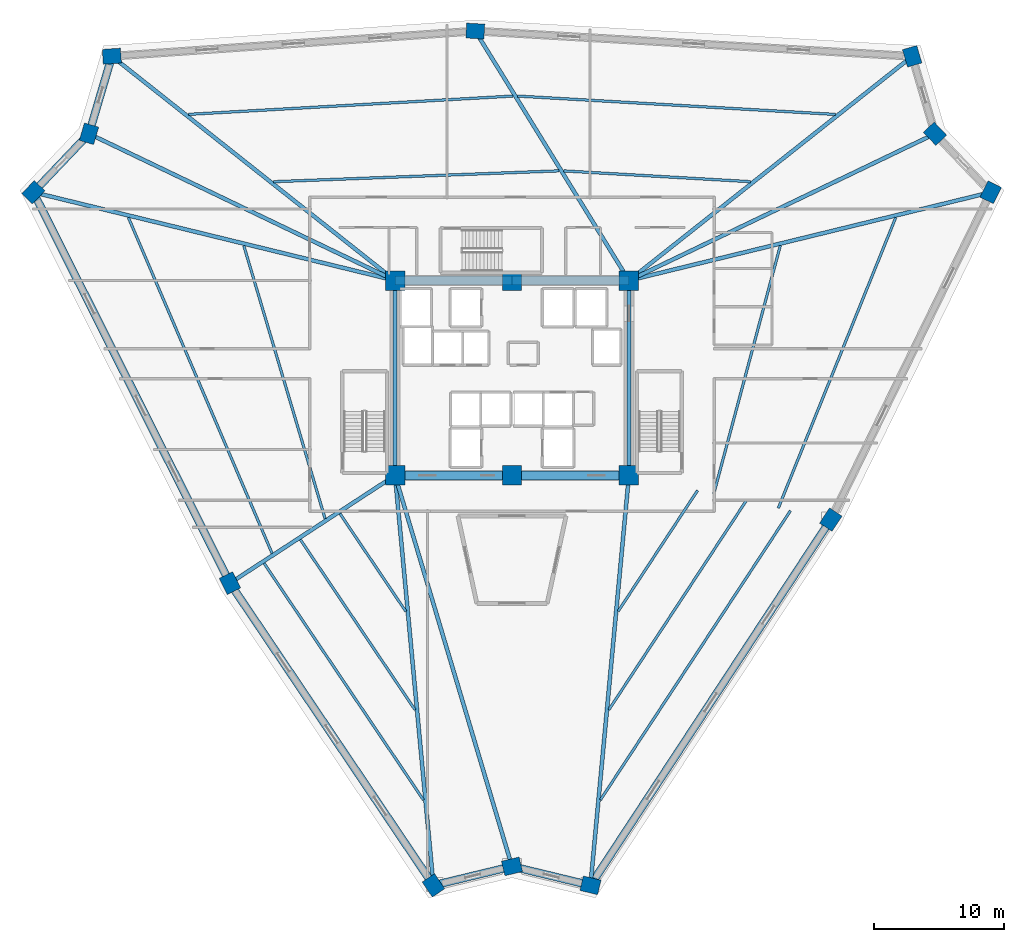
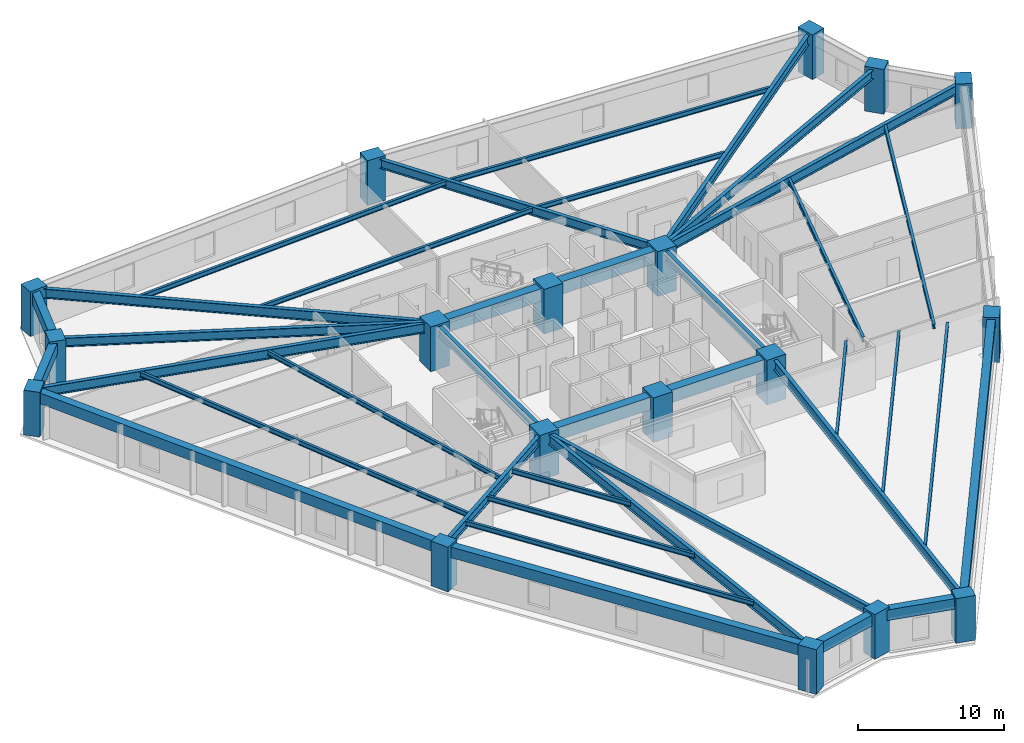
# One storey, part 1 of 9: 38 beams, 18 columns.
"""IFC4 building model written with IfcOpenShell, lengths in metres."""

from ifc_helpers import new_model, si_unit, direction, frame, origin, origin_2d, place, context, subcontext, project, spatial, rectangle, i_section, extrude, source, transform, mapped, material, material_profile, profile_set, type_object, element, save


model = new_model("IFC4")

# Units and contexts
model_context = context("Model", 3, precision=1e-05, world=origin(), true_north=direction((0.0, 1.0)))
body_context = subcontext(model_context, "Body", "Model", "MODEL_VIEW")
ifc_project = project(units=[si_unit("LENGTHUNIT", "METRE"), si_unit("AREAUNIT", "SQUARE_METRE"), si_unit("VOLUMEUNIT", "CUBIC_METRE"), si_unit("PLANEANGLEUNIT", "RADIAN"), si_unit("MASSUNIT", "GRAM", prefix="KILO")], contexts=[model_context])

# Site, building, storey
site_placement = place(None, origin())
site = spatial("IfcSite", under=ifc_project, at=site_placement, CompositionType="ELEMENT")
building_placement = place(site_placement, origin())
building = spatial("IfcBuilding", under=site, at=building_placement, Name="Liaohun Quay Tower", CompositionType="ELEMENT")
storey_placement = place(building_placement, frame((0.0, 0.0, 102.0)))
storey = spatial("IfcBuildingStorey", under=building, at=storey_placement, Name="L26", CompositionType="ELEMENT", Elevation=102.0)

# Columns
ifc_material_1 = material(Name="Concrete C60", Category="concrete")
ifc_material_profile_1 = material_profile(ifc_material_1, rectangle(XDim=1.5, YDim=1.5, at=origin_2d()), Name="RC1500x1500")
ifc_profile_set_1 = profile_set([ifc_material_profile_1], Name="Concrete C60")
column_type_1 = type_object("IfcColumnType", Name="COL-CC-Z2", PredefinedType="COLUMN", material=ifc_profile_set_1)
shared_shape_1 = source(origin(), body_context, "Body", "SweptSolid", [
    extrude(rectangle(XDim=1.5, YDim=1.5, at=origin_2d()), origin(), (0.0, 0.0, 1.0), 3.75),
])
for number, where, z_axis, x_axis, name in (
    (1, (51.0, 46.5, 0.0), (0.0, 0.0, 1.0), (1.0, 0.0, 0.0), "L26 Core Column CC1"),
    (2, (60.0, 46.5, 0.0), (0.0, 0.0, 1.0), (1.0, 0.0, 0.0), "L26 Core Column CC2"),
    (3, (69.0, 46.5, 0.0), (0.0, 0.0, 1.0), (1.0, 0.0, 0.0), "L26 Core Column CC3"),
    (4, (69.0, 61.5, 0.0), (0.0, 0.0, 1.0), (1.0, 0.0, 0.0), "L26 Core Column CC4"),
    (5, (60.0, 61.5, 0.0), (0.0, 0.0, 1.0), (1.0, 0.0, 0.0), "L26 Core Column CC5"),
    (6, (51.0, 61.5, 0.0), (0.0, 0.0, 1.0), (1.0, 0.0, 0.0), "L26 Core Column CC6"),
):
    element("IfcColumn", number, at=place(storey_placement, frame(where, z_axis=z_axis, x_axis=x_axis)), inside=storey, type_object=column_type_1, Name=name, PredefinedType="COLUMN", context=body_context, shape_type="MappedRepresentation", body=[
        mapped(shared_shape_1, transform((0.0, 0.0, 0.0), x_axis=(1.0, 0.0, 0.0), y_axis=(0.0, 1.0, 0.0), z_axis=(0.0, 0.0, 1.0), scale=1.0)),
    ])
ifc_material_profile_2 = material_profile(ifc_material_1, rectangle(XDim=1.39990234375, YDim=1.14990234375, at=origin_2d()), Name="RC1400x1150")
ifc_profile_set_2 = profile_set([ifc_material_profile_2], Name="Concrete C60")
column_type_2 = type_object("IfcColumnType", Name="COL-PIER-Z2", PredefinedType="COLUMN", material=ifc_profile_set_2)
shared_shape_2 = source(origin(), body_context, "Body", "SweptSolid", [
    extrude(rectangle(XDim=1.39990234375, YDim=1.14990234375, at=origin_2d()), origin(), (0.0, 0.0, 1.0), 3.75),
])
for number, where, z_axis, x_axis, name in (
    (7, (53.9541015625, 14.950927734375, 0.0), (0.0, 0.0, 1.0), (-0.558613989835, 0.829427760785, 0.0), "L26 Perimeter Pier PC01"),
    (8, (38.2919921875, 38.205078125, 0.0), (0.0, 0.0, 1.0), (-0.449163069051, 0.89344979568, 0.0), "L26 Perimeter Pier PC02"),
    (9, (23.1640625, 68.29296875, 0.0), (0.0, 0.0, 1.0), (0.68936671806, 0.724412539946, 0.0), "L26 Perimeter Pier PC03"),
    (10, (27.447021484375, 72.7939453125, 0.0), (0.0, 0.0, 1.0), (0.282676303383, 0.959215360337, 0.0), "L26 Perimeter Pier PC04"),
    (11, (29.2060546875, 78.760986328125, 0.0), (0.0, 0.0, 1.0), (0.997612506361, 0.069060025714, 0.0), "L26 Perimeter Pier PC05"),
    (12, (57.175048828125, 80.697021484375, 0.0), (0.0, 0.0, 1.0), (-0.99833175459, 0.0577382696, 0.0), "L26 Perimeter Pier PC06"),
    (13, (90.7958984375, 78.75390625, 0.0), (0.0, 0.0, 1.0), (-0.282676303383, 0.959215360337, 0.0), "L26 Perimeter Pier PC07"),
    (14, (92.552978515625, 72.7939453125, 0.0), (0.0, 0.0, 1.0), (-0.68936671806, 0.724412539946, 0.0), "L26 Perimeter Pier PC08"),
    (15, (96.841064453125, 68.2880859375, 0.0), (0.0, 0.0, 1.0), (0.438998516526, 0.898487786499, 0.0), "L26 Perimeter Pier PC09"),
    (16, (84.532958984375, 43.097900390625, 0.0), (0.0, 0.0, 1.0), (0.549168685539, 0.83571152608, 0.0), "L26 Perimeter Pier PC10"),
    (17, (66.0390625, 14.952880859375, 0.0), (0.0, 0.0, 1.0), (-0.972043021443, 0.234802820391, 0.0), "L26 Perimeter Pier PC11"),
    (18, (60.0, 16.410888671875, 0.0), (0.0, 0.0, 1.0), (0.972043021443, 0.234802820391, 0.0), "L26 Perimeter Pier PC12"),
):
    element("IfcColumn", number, at=place(storey_placement, frame(where, z_axis=z_axis, x_axis=x_axis)), inside=storey, type_object=column_type_2, Name=name, PredefinedType="COLUMN", context=body_context, shape_type="MappedRepresentation", body=[
        mapped(shared_shape_2, transform((0.0, 0.0, 0.0), x_axis=(1.0, 0.0, 0.0), y_axis=(0.0, 1.0, 0.0), z_axis=(0.0, 0.0, 1.0), scale=1.0)),
    ])

# Beams
ifc_material_profile_3 = material_profile(ifc_material_1, rectangle(XDim=0.699951171875, YDim=1.050048828125, at=origin_2d()), Name="RC700x1050")
ifc_profile_set_3 = profile_set([ifc_material_profile_3], Name="Concrete C60")
beam_type_1 = type_object("IfcBeamType", Name="BM-CPL-1", PredefinedType="LINTEL", material=ifc_profile_set_3)
shared_shape_3 = source(origin(), body_context, "Body", "SweptSolid", [
    extrude(rectangle(XDim=0.699951171875, YDim=1.050048828125, at=origin_2d()), origin(), (0.0, 0.0, 1.0), 9.0),
])
for number, where, z_axis, x_axis, name in (
    (19, (51.0, 46.5, 3.044921875), (1.0, 0.0, 0.0), (0.0, 1.0, 0.0), "L26 Core Coupling/Ring Beam CC1-CC2"),
    (20, (60.0, 46.5, 3.044921875), (1.0, 0.0, 0.0), (0.0, 1.0, 0.0), "L26 Core Coupling/Ring Beam CC2-CC3"),
    (21, (69.0, 61.5, 3.044921875), (-1.0, 0.0, 0.0), (0.0, -1.0, 0.0), "L26 Core Coupling/Ring Beam CC4-CC5"),
    (22, (60.0, 61.5, 3.044921875), (-1.0, 0.0, 0.0), (0.0, -1.0, 0.0), "L26 Core Coupling/Ring Beam CC5-CC6"),
):
    element("IfcBeam", number, at=place(storey_placement, frame(where, z_axis=z_axis, x_axis=x_axis)), inside=storey, type_object=beam_type_1, Name=name, PredefinedType="LINTEL", context=body_context, shape_type="MappedRepresentation", body=[
        mapped(shared_shape_3, transform((0.0, 0.0, 0.0), x_axis=(1.0, 0.0, 0.0), y_axis=(0.0, 1.0, 0.0), z_axis=(0.0, 0.0, 1.0), scale=1.0)),
    ])
ifc_material_2 = material(Name="Steel Q355D", Category="steel")
ifc_material_profile_4 = material_profile(ifc_material_2, i_section(OverallWidth=0.300048828125, OverallDepth=0.800048828125, WebThickness=0.013916015625, FlangeThickness=0.02587890625, at=origin_2d()), Name="HN800x300x14x26")
ifc_profile_set_4 = profile_set([ifc_material_profile_4], Name="Steel Q355D")
beam_type_2 = type_object("IfcBeamType", Name="BM-RAD-M1", PredefinedType="BEAM", material=ifc_profile_set_4)
shared_shape_4 = source(origin(), body_context, "Body", "SweptSolid", [
    extrude(i_section(OverallWidth=0.300048828125, OverallDepth=0.800048828125, WebThickness=0.013916015625, FlangeThickness=0.02587890625, at=origin_2d()), origin(), (0.0, 0.0, 1.0), 15.0),
])
for number, where, z_axis, x_axis, name in (
    (23, (69.0, 46.5, 3.169921875), (0.0, 1.0, 0.0), (-1.0, 0.0, 0.0), "L26 Core Coupling/Ring Beam CC3-CC4"),
    (24, (51.0, 61.5, 3.169921875), (0.0, -1.0, 0.0), (1.0, 0.0, 0.0), "L26 Core Coupling/Ring Beam CC6-CC1"),
):
    element("IfcBeam", number, at=place(storey_placement, frame(where, z_axis=z_axis, x_axis=x_axis)), inside=storey, type_object=beam_type_2, Name=name, PredefinedType="BEAM", context=body_context, shape_type="MappedRepresentation", body=[
        mapped(shared_shape_4, transform((0.0, 0.0, 0.0), x_axis=(1.0, 0.0, 0.0), y_axis=(0.0, 1.0, 0.0), z_axis=(0.0, 0.0, 1.0), scale=1.0)),
    ])
shared_shape_5 = source(origin(), body_context, "Body", "SweptSolid", [
    extrude(i_section(OverallWidth=0.300048828125, OverallDepth=0.800048828125, WebThickness=0.013916015625, FlangeThickness=0.02587890625, at=origin_2d()), origin(), (0.0, 0.0, 1.0), 31.68701171875),
])
beam_1_placement = place(storey_placement, frame((51.0, 46.5, 3.169921875), z_axis=(0.093227337297, -0.995644848116, 0.0), x_axis=(0.995644848116, 0.093227337297, 0.0)))
element("IfcBeam", 25, at=beam_1_placement, inside=storey, type_object=beam_type_2, Name="L26 Radial Primary Girder CC1-PC01", PredefinedType="BEAM", context=body_context, shape_type="MappedRepresentation", body=[
    mapped(shared_shape_5, transform((0.0, 0.0, 0.0), x_axis=(1.0, 0.0, 0.0), y_axis=(0.0, 1.0, 0.0), z_axis=(0.0, 0.0, 1.0), scale=1.0)),
])
ifc_material_profile_5 = material_profile(ifc_material_2, i_section(OverallWidth=0.300048828125, OverallDepth=0.75, WebThickness=0.013916015625, FlangeThickness=0.02587890625, at=origin_2d()), Name="HN750x300x14x26")
ifc_profile_set_5 = profile_set([ifc_material_profile_5], Name="Steel Q355D")
beam_type_3 = type_object("IfcBeamType", Name="BM-RAD-M2", PredefinedType="BEAM", material=ifc_profile_set_5)
shared_shape_6 = source(origin(), body_context, "Body", "SweptSolid", [
    extrude(i_section(OverallWidth=0.300048828125, OverallDepth=0.75, WebThickness=0.013916015625, FlangeThickness=0.02587890625, at=origin_2d()), origin(), (0.0, 0.0, 1.0), 15.175537109375),
])
beam_2_placement = place(storey_placement, frame((51.0, 46.5, 3.195068359375), z_axis=(-0.837396741296, -0.546595552184, 0.0), x_axis=(0.546595552184, -0.837396741296, 0.0)))
element("IfcBeam", 26, at=beam_2_placement, inside=storey, type_object=beam_type_3, Name="L26 Radial Primary Girder CC1-PC02", PredefinedType="BEAM", context=body_context, shape_type="MappedRepresentation", body=[
    mapped(shared_shape_6, transform((0.0, 0.0, 0.0), x_axis=(1.0, 0.0, 0.0), y_axis=(0.0, 1.0, 0.0), z_axis=(0.0, 0.0, 1.0), scale=1.0)),
])
shared_shape_7 = source(origin(), body_context, "Body", "SweptSolid", [
    extrude(i_section(OverallWidth=0.300048828125, OverallDepth=0.800048828125, WebThickness=0.013916015625, FlangeThickness=0.02587890625, at=origin_2d()), origin(), (0.0, 0.0, 1.0), 28.65283203125),
])
beam_3_placement = place(storey_placement, frame((51.0, 61.5, 3.169921875), z_axis=(-0.971490477699, 0.237078577143, 0.0), x_axis=(-0.237078577143, -0.971490477699, 0.0)))
element("IfcBeam", 27, at=beam_3_placement, inside=storey, type_object=beam_type_2, Name="L26 Radial Primary Girder CC6-PC03", PredefinedType="BEAM", context=body_context, shape_type="MappedRepresentation", body=[
    mapped(shared_shape_7, transform((0.0, 0.0, 0.0), x_axis=(1.0, 0.0, 0.0), y_axis=(0.0, 1.0, 0.0), z_axis=(0.0, 0.0, 1.0), scale=1.0)),
])
shared_shape_8 = source(origin(), body_context, "Body", "SweptSolid", [
    extrude(i_section(OverallWidth=0.300048828125, OverallDepth=0.75, WebThickness=0.013916015625, FlangeThickness=0.02587890625, at=origin_2d()), origin(), (0.0, 0.0, 1.0), 26.120849609375),
])
for number, where, z_axis, x_axis, name in (
    (28, (51.0, 61.5, 3.195068359375), (-0.901694507085, 0.432373699354, 0.0), (-0.432373699354, -0.901694507085, 0.0), "L26 Radial Primary Girder CC6-PC04"),
    (29, (69.0, 61.5, 3.195068359375), (0.901694507085, 0.432373699354, 0.0), (-0.432373699354, 0.901694507085, 0.0), "L26 Radial Primary Girder CC4-PC08"),
):
    element("IfcBeam", number, at=place(storey_placement, frame(where, z_axis=z_axis, x_axis=x_axis)), inside=storey, type_object=beam_type_3, Name=name, PredefinedType="BEAM", context=body_context, shape_type="MappedRepresentation", body=[
        mapped(shared_shape_8, transform((0.0, 0.0, 0.0), x_axis=(1.0, 0.0, 0.0), y_axis=(0.0, 1.0, 0.0), z_axis=(0.0, 0.0, 1.0), scale=1.0)),
    ])
shared_shape_9 = source(origin(), body_context, "Body", "SweptSolid", [
    extrude(i_section(OverallWidth=0.300048828125, OverallDepth=0.800048828125, WebThickness=0.013916015625, FlangeThickness=0.02587890625, at=origin_2d()), origin(), (0.0, 0.0, 1.0), 27.801513671875),
])
beam_4_placement = place(storey_placement, frame((51.0, 61.5, 3.169921875), z_axis=(-0.783915460931, 0.620867578565, 0.0), x_axis=(-0.620867578565, -0.783915460931, 0.0)))
element("IfcBeam", 30, at=beam_4_placement, inside=storey, type_object=beam_type_2, Name="L26 Radial Primary Girder CC6-PC05", PredefinedType="BEAM", context=body_context, shape_type="MappedRepresentation", body=[
    mapped(shared_shape_9, transform((0.0, 0.0, 0.0), x_axis=(1.0, 0.0, 0.0), y_axis=(0.0, 1.0, 0.0), z_axis=(0.0, 0.0, 1.0), scale=1.0)),
])
shared_shape_10 = source(origin(), body_context, "Body", "SweptSolid", [
    extrude(i_section(OverallWidth=0.300048828125, OverallDepth=0.75, WebThickness=0.013916015625, FlangeThickness=0.02587890625, at=origin_2d()), origin(), (0.0, 0.0, 1.0), 22.546630859375),
])
beam_5_placement = place(storey_placement, frame((69.0, 61.5, 3.195068359375), z_axis=(-0.524464095376, 0.851432564953, 0.0), x_axis=(-0.851432564953, -0.524464095376, 0.0)))
element("IfcBeam", 31, at=beam_5_placement, inside=storey, type_object=beam_type_3, Name="L26 Radial Primary Girder CC4-PC06", PredefinedType="BEAM", context=body_context, shape_type="MappedRepresentation", body=[
    mapped(shared_shape_10, transform((0.0, 0.0, 0.0), x_axis=(1.0, 0.0, 0.0), y_axis=(0.0, 1.0, 0.0), z_axis=(0.0, 0.0, 1.0), scale=1.0)),
])
shared_shape_11 = source(origin(), body_context, "Body", "SweptSolid", [
    extrude(i_section(OverallWidth=0.300048828125, OverallDepth=0.800048828125, WebThickness=0.013916015625, FlangeThickness=0.02587890625, at=origin_2d()), origin(), (0.0, 0.0, 1.0), 27.798583984375),
])
beam_6_placement = place(storey_placement, frame((69.0, 61.5, 3.169921875), z_axis=(0.784066482117, 0.620676849592, 0.0), x_axis=(-0.620676849592, 0.784066482117, 0.0)))
element("IfcBeam", 32, at=beam_6_placement, inside=storey, type_object=beam_type_2, Name="L26 Radial Primary Girder CC4-PC07", PredefinedType="BEAM", context=body_context, shape_type="MappedRepresentation", body=[
    mapped(shared_shape_11, transform((0.0, 0.0, 0.0), x_axis=(1.0, 0.0, 0.0), y_axis=(0.0, 1.0, 0.0), z_axis=(0.0, 0.0, 1.0), scale=1.0)),
])
shared_shape_12 = source(origin(), body_context, "Body", "SweptSolid", [
    extrude(i_section(OverallWidth=0.300048828125, OverallDepth=0.800048828125, WebThickness=0.013916015625, FlangeThickness=0.02587890625, at=origin_2d()), origin(), (0.0, 0.0, 1.0), 28.65673828125),
])
beam_7_placement = place(storey_placement, frame((69.0, 61.5, 3.169921875), z_axis=(0.971539756758, 0.23687655232, 0.0), x_axis=(-0.23687655232, 0.971539756758, 0.0)))
element("IfcBeam", 33, at=beam_7_placement, inside=storey, type_object=beam_type_2, Name="L26 Radial Primary Girder CC4-PC09", PredefinedType="BEAM", context=body_context, shape_type="MappedRepresentation", body=[
    mapped(shared_shape_12, transform((0.0, 0.0, 0.0), x_axis=(1.0, 0.0, 0.0), y_axis=(0.0, 1.0, 0.0), z_axis=(0.0, 0.0, 1.0), scale=1.0)),
])
shared_shape_13 = source(origin(), body_context, "Body", "SweptSolid", [
    extrude(i_section(OverallWidth=0.300048828125, OverallDepth=0.800048828125, WebThickness=0.013916015625, FlangeThickness=0.02587890625, at=origin_2d()), origin(), (0.0, 0.0, 1.0), 31.685791015625),
])
beam_8_placement = place(storey_placement, frame((69.0, 46.5, 3.169921875), z_axis=(-0.093446923072, -0.995624262746, 0.0), x_axis=(0.995624262746, -0.093446923072, 0.0)))
element("IfcBeam", 34, at=beam_8_placement, inside=storey, type_object=beam_type_2, Name="L26 Radial Primary Girder CC3-PC11", PredefinedType="BEAM", context=body_context, shape_type="MappedRepresentation", body=[
    mapped(shared_shape_13, transform((0.0, 0.0, 0.0), x_axis=(1.0, 0.0, 0.0), y_axis=(0.0, 1.0, 0.0), z_axis=(0.0, 0.0, 1.0), scale=1.0)),
])
shared_shape_14 = source(origin(), body_context, "Body", "SweptSolid", [
    extrude(i_section(OverallWidth=0.300048828125, OverallDepth=0.75, WebThickness=0.013916015625, FlangeThickness=0.02587890625, at=origin_2d()), origin(), (0.0, 0.0, 1.0), 31.40625),
])
beam_9_placement = place(storey_placement, frame((51.0, 46.5, 3.195068359375), z_axis=(0.286566861815, -0.958060245344, 0.0), x_axis=(0.958060245344, 0.286566861815, 0.0)))
element("IfcBeam", 35, at=beam_9_placement, inside=storey, type_object=beam_type_3, Name="L26 Radial Primary Girder CC1-PC12", PredefinedType="BEAM", context=body_context, shape_type="MappedRepresentation", body=[
    mapped(shared_shape_14, transform((0.0, 0.0, 0.0), x_axis=(1.0, 0.0, 0.0), y_axis=(0.0, 1.0, 0.0), z_axis=(0.0, 0.0, 1.0), scale=1.0)),
])
ifc_material_profile_6 = material_profile(ifc_material_2, i_section(OverallWidth=0.199951171875, OverallDepth=0.39990234375, WebThickness=0.008056640625, FlangeThickness=0.012939453125, at=origin_2d()), Name="HN400x200x8x13")
ifc_profile_set_6 = profile_set([ifc_material_profile_6], Name="Steel Q355D")
beam_type_4 = type_object("IfcBeamType", Name="BM-SEC-J2", PredefinedType="JOIST", material=ifc_profile_set_6)
shared_shape_15 = source(origin(), body_context, "Body", "SweptSolid", [
    extrude(i_section(OverallWidth=0.199951171875, OverallDepth=0.39990234375, WebThickness=0.008056640625, FlangeThickness=0.012939453125, at=origin_2d()), origin(), (0.0, 0.0, 1.0), 9.06884765625),
])
beam_10_placement = place(storey_placement, frame((51.8291015625, 36.032958984375, 3.3701171875), z_axis=(-0.55862645888, 0.829419362831, 0.0), x_axis=(-0.829419362831, -0.55862645888, 0.0)))
element("IfcBeam", 36, at=beam_10_placement, inside=storey, type_object=beam_type_4, Name="L26 Wing Secondary Floor Joist SJ-01", PredefinedType="JOIST", context=body_context, shape_type="MappedRepresentation", body=[
    mapped(shared_shape_15, transform((0.0, 0.0, 0.0), x_axis=(1.0, 0.0, 0.0), y_axis=(0.0, 1.0, 0.0), z_axis=(0.0, 0.0, 1.0), scale=1.0)),
])
shared_shape_16 = source(origin(), body_context, "Body", "SweptSolid", [
    extrude(i_section(OverallWidth=0.199951171875, OverallDepth=0.39990234375, WebThickness=0.008056640625, FlangeThickness=0.012939453125, at=origin_2d()), origin(), (0.0, 0.0, 1.0), 15.7978515625),
])
beam_11_placement = place(storey_placement, frame((52.5380859375, 28.4609375, 3.3701171875), z_axis=(-0.558631189676, 0.829416176549, 0.0), x_axis=(-0.829416176549, -0.558631189676, 0.0)))
element("IfcBeam", 37, at=beam_11_placement, inside=storey, type_object=beam_type_4, Name="L26 Wing Secondary Floor Joist SJ-02", PredefinedType="JOIST", context=body_context, shape_type="MappedRepresentation", body=[
    mapped(shared_shape_16, transform((0.0, 0.0, 0.0), x_axis=(1.0, 0.0, 0.0), y_axis=(0.0, 1.0, 0.0), z_axis=(0.0, 0.0, 1.0), scale=1.0)),
])
shared_shape_17 = source(origin(), body_context, "Body", "SweptSolid", [
    extrude(i_section(OverallWidth=0.199951171875, OverallDepth=0.39990234375, WebThickness=0.008056640625, FlangeThickness=0.012939453125, at=origin_2d()), origin(), (0.0, 0.0, 1.0), 21.966064453125),
])
beam_12_placement = place(storey_placement, frame((53.18798828125, 21.52099609375, 3.3701171875), z_axis=(-0.558633617235, 0.829414541526, 0.0), x_axis=(-0.829414541526, -0.558633617235, 0.0)))
element("IfcBeam", 38, at=beam_12_placement, inside=storey, type_object=beam_type_4, Name="L26 Wing Secondary Floor Joist SJ-03", PredefinedType="JOIST", context=body_context, shape_type="MappedRepresentation", body=[
    mapped(shared_shape_17, transform((0.0, 0.0, 0.0), x_axis=(1.0, 0.0, 0.0), y_axis=(0.0, 1.0, 0.0), z_axis=(0.0, 0.0, 1.0), scale=1.0)),
])
shared_shape_18 = source(origin(), body_context, "Body", "SweptSolid", [
    extrude(i_section(OverallWidth=0.199951171875, OverallDepth=0.39990234375, WebThickness=0.008056640625, FlangeThickness=0.012939453125, at=origin_2d()), origin(), (0.0, 0.0, 1.0), 21.933349609375),
])
beam_13_placement = place(storey_placement, frame((45.617919921875, 43.166015625, 3.3701171875), z_axis=(-0.285411109474, 0.958405184976, 0.0), x_axis=(-0.958405184976, -0.285411109474, 0.0)))
element("IfcBeam", 39, at=beam_13_placement, inside=storey, type_object=beam_type_4, Name="L26 Wing Secondary Floor Joist SJ-04", PredefinedType="JOIST", context=body_context, shape_type="MappedRepresentation", body=[
    mapped(shared_shape_18, transform((0.0, 0.0, 0.0), x_axis=(1.0, 0.0, 0.0), y_axis=(0.0, 1.0, 0.0), z_axis=(0.0, 0.0, 1.0), scale=1.0)),
])
shared_shape_19 = source(origin(), body_context, "Body", "SweptSolid", [
    extrude(i_section(OverallWidth=0.199951171875, OverallDepth=0.39990234375, WebThickness=0.008056640625, FlangeThickness=0.012939453125, at=origin_2d()), origin(), (0.0, 0.0, 1.0), 28.118896484375),
])
beam_14_placement = place(storey_placement, frame((41.535888671875, 40.501953125, 3.3701171875), z_axis=(-0.393358608191, 0.919385123527, 0.0), x_axis=(-0.919385123527, -0.393358608191, 0.0)))
element("IfcBeam", 40, at=beam_14_placement, inside=storey, type_object=beam_type_4, Name="L26 Wing Secondary Floor Joist SJ-05", PredefinedType="JOIST", context=body_context, shape_type="MappedRepresentation", body=[
    mapped(shared_shape_19, transform((0.0, 0.0, 0.0), x_axis=(1.0, 0.0, 0.0), y_axis=(0.0, 1.0, 0.0), z_axis=(0.0, 0.0, 1.0), scale=1.0)),
])
shared_shape_20 = source(origin(), body_context, "Body", "SweptSolid", [
    extrude(i_section(OverallWidth=0.199951171875, OverallDepth=0.39990234375, WebThickness=0.008056640625, FlangeThickness=0.012939453125, at=origin_2d()), origin(), (0.0, 0.0, 1.0), 21.999755859375),
])
beam_15_placement = place(storey_placement, frame((41.64111328125, 69.10400390625, 3.3701171875), z_axis=(0.999277832372, 0.037997549009, 0.0), x_axis=(-0.037997549009, 0.999277832372, 0.0)))
element("IfcBeam", 41, at=beam_15_placement, inside=storey, type_object=beam_type_4, Name="L26 Wing Secondary Floor Joist SJ-06", PredefinedType="JOIST", context=body_context, shape_type="MappedRepresentation", body=[
    mapped(shared_shape_20, transform((0.0, 0.0, 0.0), x_axis=(1.0, 0.0, 0.0), y_axis=(0.0, 1.0, 0.0), z_axis=(0.0, 0.0, 1.0), scale=1.0)),
])
shared_shape_21 = source(origin(), body_context, "Body", "SweptSolid", [
    extrude(i_section(OverallWidth=0.199951171875, OverallDepth=0.39990234375, WebThickness=0.008056640625, FlangeThickness=0.012939453125, at=origin_2d()), origin(), (0.0, 0.0, 1.0), 25.02099609375),
])
beam_16_placement = place(storey_placement, frame((35.097900390625, 74.285888671875, 3.3701171875), z_axis=(0.998410569796, 0.05635897551, 0.0), x_axis=(-0.05635897551, 0.998410569796, 0.0)))
element("IfcBeam", 42, at=beam_16_placement, inside=storey, type_object=beam_type_4, Name="L26 Wing Secondary Floor Joist SJ-07", PredefinedType="JOIST", context=body_context, shape_type="MappedRepresentation", body=[
    mapped(shared_shape_21, transform((0.0, 0.0, 0.0), x_axis=(1.0, 0.0, 0.0), y_axis=(0.0, 1.0, 0.0), z_axis=(0.0, 0.0, 1.0), scale=1.0)),
])
shared_shape_22 = source(origin(), body_context, "Body", "SweptSolid", [
    extrude(i_section(OverallWidth=0.199951171875, OverallDepth=0.39990234375, WebThickness=0.008056640625, FlangeThickness=0.012939453125, at=origin_2d()), origin(), (0.0, 0.0, 1.0), 14.408935546875),
])
beam_17_placement = place(storey_placement, frame((63.97998046875, 69.93603515625, 3.3701171875), z_axis=(0.998335348175, -0.057676100629, 0.0), x_axis=(0.057676100629, 0.998335348175, 0.0)))
element("IfcBeam", 43, at=beam_17_placement, inside=storey, type_object=beam_type_4, Name="L26 Wing Secondary Floor Joist SJ-08", PredefinedType="JOIST", context=body_context, shape_type="MappedRepresentation", body=[
    mapped(shared_shape_22, transform((0.0, 0.0, 0.0), x_axis=(1.0, 0.0, 0.0), y_axis=(0.0, 1.0, 0.0), z_axis=(0.0, 0.0, 1.0), scale=1.0)),
])
shared_shape_23 = source(origin(), body_context, "Body", "SweptSolid", [
    extrude(i_section(OverallWidth=0.199951171875, OverallDepth=0.39990234375, WebThickness=0.008056640625, FlangeThickness=0.012939453125, at=origin_2d()), origin(), (0.0, 0.0, 1.0), 24.512939453125),
])
beam_18_placement = place(storey_placement, frame((60.431884765625, 75.695068359375, 3.3701171875), z_axis=(0.998334761419, -0.057686256092, 0.0), x_axis=(0.057686256092, 0.998334761419, 0.0)))
element("IfcBeam", 44, at=beam_18_placement, inside=storey, type_object=beam_type_4, Name="L26 Wing Secondary Floor Joist SJ-09", PredefinedType="JOIST", context=body_context, shape_type="MappedRepresentation", body=[
    mapped(shared_shape_23, transform((0.0, 0.0, 0.0), x_axis=(1.0, 0.0, 0.0), y_axis=(0.0, 1.0, 0.0), z_axis=(0.0, 0.0, 1.0), scale=1.0)),
])
shared_shape_24 = source(origin(), body_context, "Body", "SweptSolid", [
    extrude(i_section(OverallWidth=0.199951171875, OverallDepth=0.39990234375, WebThickness=0.008056640625, FlangeThickness=0.012939453125, at=origin_2d()), origin(), (0.0, 0.0, 1.0), 19.7900390625),
])
beam_19_placement = place(storey_placement, frame((80.64892578125, 64.18603515625, 3.3701171875), z_axis=(-0.258967729361, -0.965885974196, 0.0), x_axis=(0.965885974196, -0.258967729361, 0.0)))
element("IfcBeam", 45, at=beam_19_placement, inside=storey, type_object=beam_type_4, Name="L26 Wing Secondary Floor Joist SJ-10", PredefinedType="JOIST", context=body_context, shape_type="MappedRepresentation", body=[
    mapped(shared_shape_24, transform((0.0, 0.0, 0.0), x_axis=(1.0, 0.0, 0.0), y_axis=(0.0, 1.0, 0.0), z_axis=(0.0, 0.0, 1.0), scale=1.0)),
])
shared_shape_25 = source(origin(), body_context, "Body", "SweptSolid", [
    extrude(i_section(OverallWidth=0.199951171875, OverallDepth=0.39990234375, WebThickness=0.008056640625, FlangeThickness=0.012939453125, at=origin_2d()), origin(), (0.0, 0.0, 1.0), 24.12646484375),
])
beam_20_placement = place(storey_placement, frame((89.532958984375, 66.35205078125, 3.3701171875), z_axis=(-0.374654447943, -0.927164518646, 0.0), x_axis=(0.927164518646, -0.374654447943, 0.0)))
element("IfcBeam", 46, at=beam_20_placement, inside=storey, type_object=beam_type_4, Name="L26 Wing Secondary Floor Joist SJ-11", PredefinedType="JOIST", context=body_context, shape_type="MappedRepresentation", body=[
    mapped(shared_shape_25, transform((0.0, 0.0, 0.0), x_axis=(1.0, 0.0, 0.0), y_axis=(0.0, 1.0, 0.0), z_axis=(0.0, 0.0, 1.0), scale=1.0)),
])
shared_shape_26 = source(origin(), body_context, "Body", "SweptSolid", [
    extrude(i_section(OverallWidth=0.199951171875, OverallDepth=0.39990234375, WebThickness=0.008056640625, FlangeThickness=0.012939453125, at=origin_2d()), origin(), (0.0, 0.0, 1.0), 11.129638671875),
])
beam_21_placement = place(storey_placement, frame((74.281005859375, 45.343017578125, 3.3701171875), z_axis=(-0.549175260305, -0.835707205586, 0.0), x_axis=(0.835707205586, -0.549175260305, 0.0)))
element("IfcBeam", 47, at=beam_21_placement, inside=storey, type_object=beam_type_4, Name="L26 Wing Secondary Floor Joist SJ-12", PredefinedType="JOIST", context=body_context, shape_type="MappedRepresentation", body=[
    mapped(shared_shape_26, transform((0.0, 0.0, 0.0), x_axis=(1.0, 0.0, 0.0), y_axis=(0.0, 1.0, 0.0), z_axis=(0.0, 0.0, 1.0), scale=1.0)),
])
shared_shape_27 = source(origin(), body_context, "Body", "SweptSolid", [
    extrude(i_section(OverallWidth=0.199951171875, OverallDepth=0.39990234375, WebThickness=0.008056640625, FlangeThickness=0.012939453125, at=origin_2d()), origin(), (0.0, 0.0, 1.0), 19.21337890625),
])
beam_22_placement = place(storey_placement, frame((78.009033203125, 44.527099609375, 3.3701171875), z_axis=(-0.549148727391, -0.835724640779, 0.0), x_axis=(0.835724640779, -0.549148727391, 0.0)))
element("IfcBeam", 48, at=beam_22_placement, inside=storey, type_object=beam_type_4, Name="L26 Wing Secondary Floor Joist SJ-13", PredefinedType="JOIST", context=body_context, shape_type="MappedRepresentation", body=[
    mapped(shared_shape_27, transform((0.0, 0.0, 0.0), x_axis=(1.0, 0.0, 0.0), y_axis=(0.0, 1.0, 0.0), z_axis=(0.0, 0.0, 1.0), scale=1.0)),
])
shared_shape_28 = source(origin(), body_context, "Body", "SweptSolid", [
    extrude(i_section(OverallWidth=0.199951171875, OverallDepth=0.39990234375, WebThickness=0.008056640625, FlangeThickness=0.012939453125, at=origin_2d()), origin(), (0.0, 0.0, 1.0), 26.621337890625),
])
beam_23_placement = place(storey_placement, frame((81.426025390625, 43.778076171875, 3.3701171875), z_axis=(-0.549151534523, -0.835722796226, 0.0), x_axis=(0.835722796226, -0.549151534523, 0.0)))
element("IfcBeam", 49, at=beam_23_placement, inside=storey, type_object=beam_type_4, Name="L26 Wing Secondary Floor Joist SJ-14", PredefinedType="JOIST", context=body_context, shape_type="MappedRepresentation", body=[
    mapped(shared_shape_28, transform((0.0, 0.0, 0.0), x_axis=(1.0, 0.0, 0.0), y_axis=(0.0, 1.0, 0.0), z_axis=(0.0, 0.0, 1.0), scale=1.0)),
])
ifc_material_3 = material(Name="Precast concrete C55", Category="concrete")
ifc_material_profile_7 = material_profile(ifc_material_3, rectangle(XDim=0.60009765625, YDim=0.89990234375, at=origin_2d()), Name="RC600x900")
ifc_profile_set_7 = profile_set([ifc_material_profile_7], Name="Precast concrete C55")
beam_type_5 = type_object("IfcBeamType", Name="BM-SPD-Z2", PredefinedType="SPANDREL", material=ifc_profile_set_7)
shared_shape_29 = source(origin(), body_context, "Body", "SweptSolid", [
    extrude(rectangle(XDim=0.60009765625, YDim=0.89990234375, at=origin_2d()), origin(), (0.0, 0.0, 1.0), 28.03662109375),
])
beam_24_placement = place(storey_placement, frame((53.9541015625, 14.950927734375, 3.1201171875), z_axis=(-0.558628621166, 0.829417906495, 0.0), x_axis=(-0.829417906495, -0.558628621166, 0.0)))
element("IfcBeam", 50, at=beam_24_placement, inside=storey, type_object=beam_type_5, Name="L26 Precast Spandrel Beam PC01-PC02", PredefinedType="SPANDREL", context=body_context, shape_type="MappedRepresentation", body=[
    mapped(shared_shape_29, transform((0.0, 0.0, 0.0), x_axis=(1.0, 0.0, 0.0), y_axis=(0.0, 1.0, 0.0), z_axis=(0.0, 0.0, 1.0), scale=1.0)),
])
shared_shape_30 = source(origin(), body_context, "Body", "SweptSolid", [
    extrude(rectangle(XDim=0.60009765625, YDim=0.89990234375, at=origin_2d()), origin(), (0.0, 0.0, 1.0), 33.677001953125),
])
beam_25_placement = place(storey_placement, frame((38.2919921875, 38.205078125, 3.1201171875), z_axis=(-0.449207543272, 0.893427435815, 0.0), x_axis=(-0.893427435815, -0.449207543272, 0.0)))
element("IfcBeam", 51, at=beam_25_placement, inside=storey, type_object=beam_type_5, Name="L26 Precast Spandrel Beam PC02-PC03", PredefinedType="SPANDREL", context=body_context, shape_type="MappedRepresentation", body=[
    mapped(shared_shape_30, transform((0.0, 0.0, 0.0), x_axis=(1.0, 0.0, 0.0), y_axis=(0.0, 1.0, 0.0), z_axis=(0.0, 0.0, 1.0), scale=1.0)),
])
shared_shape_31 = source(origin(), body_context, "Body", "SweptSolid", [
    extrude(rectangle(XDim=0.60009765625, YDim=0.89990234375, at=origin_2d()), origin(), (0.0, 0.0, 1.0), 6.213134765625),
])
beam_26_placement = place(storey_placement, frame((23.1640625, 68.29296875, 3.1201171875), z_axis=(0.68934406987, 0.724434091781, 0.0), x_axis=(-0.724434091781, 0.68934406987, 0.0)))
element("IfcBeam", 52, at=beam_26_placement, inside=storey, type_object=beam_type_5, Name="L26 Precast Spandrel Beam PC03-PC04", PredefinedType="SPANDREL", context=body_context, shape_type="MappedRepresentation", body=[
    mapped(shared_shape_31, transform((0.0, 0.0, 0.0), x_axis=(1.0, 0.0, 0.0), y_axis=(0.0, 1.0, 0.0), z_axis=(0.0, 0.0, 1.0), scale=1.0)),
])
shared_shape_32 = source(origin(), body_context, "Body", "SweptSolid", [
    extrude(rectangle(XDim=0.60009765625, YDim=0.89990234375, at=origin_2d()), origin(), (0.0, 0.0, 1.0), 6.220947265625),
])
beam_27_placement = place(storey_placement, frame((27.447021484375, 72.7939453125, 3.1201171875), z_axis=(0.282761195984, 0.959190338799, 0.0), x_axis=(-0.959190338799, 0.282761195984, 0.0)))
element("IfcBeam", 53, at=beam_27_placement, inside=storey, type_object=beam_type_5, Name="L26 Precast Spandrel Beam PC04-PC05", PredefinedType="SPANDREL", context=body_context, shape_type="MappedRepresentation", body=[
    mapped(shared_shape_32, transform((0.0, 0.0, 0.0), x_axis=(1.0, 0.0, 0.0), y_axis=(0.0, 1.0, 0.0), z_axis=(0.0, 0.0, 1.0), scale=1.0)),
])
shared_shape_33 = source(origin(), body_context, "Body", "SweptSolid", [
    extrude(rectangle(XDim=0.60009765625, YDim=0.89990234375, at=origin_2d()), origin(), (0.0, 0.0, 1.0), 33.677490234375),
])
beam_28_placement = place(storey_placement, frame((84.532958984375, 43.097900390625, 3.1201171875), z_axis=(-0.549148810226, -0.835724586348, 0.0), x_axis=(0.835724586348, -0.549148810226, 0.0)))
element("IfcBeam", 54, at=beam_28_placement, inside=storey, type_object=beam_type_5, Name="L26 Precast Spandrel Beam PC10-PC11", PredefinedType="SPANDREL", context=body_context, shape_type="MappedRepresentation", body=[
    mapped(shared_shape_33, transform((0.0, 0.0, 0.0), x_axis=(1.0, 0.0, 0.0), y_axis=(0.0, 1.0, 0.0), z_axis=(0.0, 0.0, 1.0), scale=1.0)),
])
shared_shape_34 = source(origin(), body_context, "Body", "SweptSolid", [
    extrude(rectangle(XDim=0.60009765625, YDim=0.89990234375, at=origin_2d()), origin(), (0.0, 0.0, 1.0), 6.212646484375),
])
beam_29_placement = place(storey_placement, frame((66.0390625, 14.952880859375, 3.1201171875), z_axis=(-0.972071080455, 0.234686630517, 0.0), x_axis=(-0.234686630517, -0.972071080455, 0.0)))
element("IfcBeam", 55, at=beam_29_placement, inside=storey, type_object=beam_type_5, Name="L26 Precast Spandrel Beam PC11-PC12", PredefinedType="SPANDREL", context=body_context, shape_type="MappedRepresentation", body=[
    mapped(shared_shape_34, transform((0.0, 0.0, 0.0), x_axis=(1.0, 0.0, 0.0), y_axis=(0.0, 1.0, 0.0), z_axis=(0.0, 0.0, 1.0), scale=1.0)),
])
shared_shape_35 = source(origin(), body_context, "Body", "SweptSolid", [
    extrude(rectangle(XDim=0.60009765625, YDim=0.89990234375, at=origin_2d()), origin(), (0.0, 0.0, 1.0), 6.2197265625),
])
beam_30_placement = place(storey_placement, frame((60.0, 16.410888671875, 3.1201171875), z_axis=(-0.972059975576, -0.234732622111, 0.0), x_axis=(0.234732622111, -0.972059975576, 0.0)))
element("IfcBeam", 56, at=beam_30_placement, inside=storey, type_object=beam_type_5, Name="L26 Precast Spandrel Beam PC12-PC01", PredefinedType="SPANDREL", context=body_context, shape_type="MappedRepresentation", body=[
    mapped(shared_shape_35, transform((0.0, 0.0, 0.0), x_axis=(1.0, 0.0, 0.0), y_axis=(0.0, 1.0, 0.0), z_axis=(0.0, 0.0, 1.0), scale=1.0)),
])

save(model, "model.ifc")
